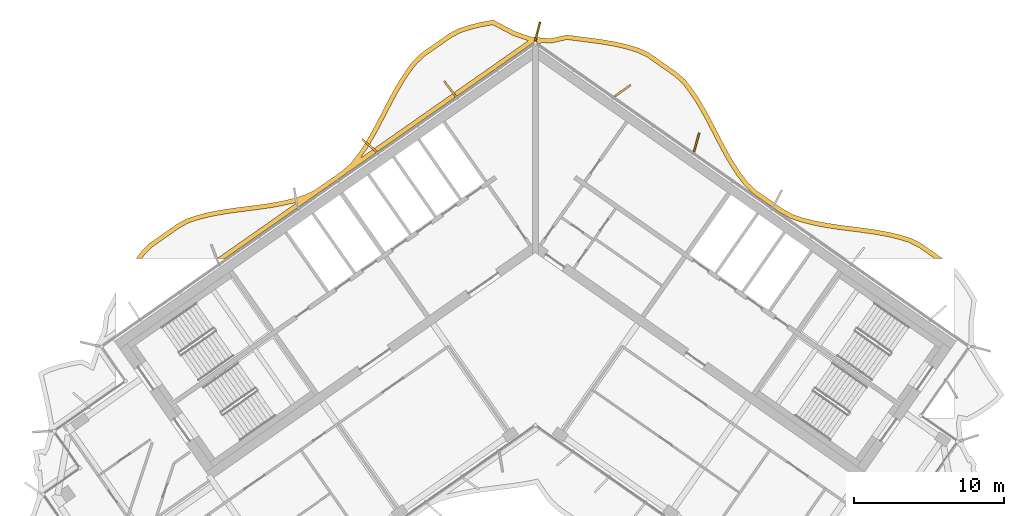
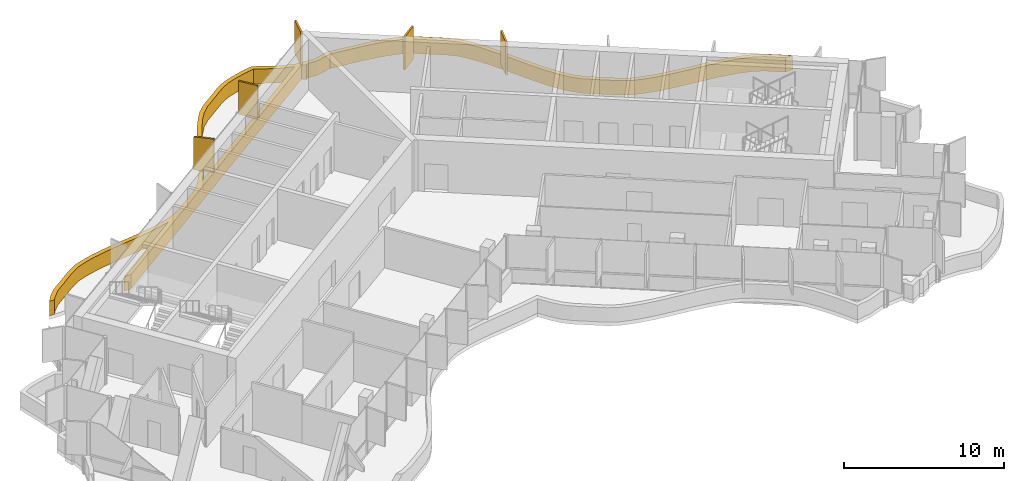
# One storey, part 17 of 17: 6 shading devices.
"""IFC4 building model written with IfcOpenShell, lengths in metres."""

from ifc_helpers import new_model, si_unit, direction, frame, origin, origin_2d, place, context, subcontext, project, spatial, polyline, rectangle, outline, extrude, material, layer, layer_set, type_object, element, save


model = new_model("IFC4")

# Units and contexts
model_context = context("Model", 3, precision=1e-05, world=origin(), true_north=direction((0.0, 1.0)))
body_context = subcontext(model_context, "Body", "Model", "MODEL_VIEW")
ifc_project = project(units=[si_unit("LENGTHUNIT", "METRE"), si_unit("AREAUNIT", "SQUARE_METRE"), si_unit("VOLUMEUNIT", "CUBIC_METRE"), si_unit("PLANEANGLEUNIT", "RADIAN"), si_unit("MASSUNIT", "GRAM", prefix="KILO")], contexts=[model_context])

# Site, building, storey
site_placement = place(None, origin())
site = spatial("IfcSite", under=ifc_project, at=site_placement, CompositionType="ELEMENT")
building_placement = place(site_placement, origin())
building = spatial("IfcBuilding", under=site, at=building_placement, Name="Tel Ilan Convention Tower", CompositionType="ELEMENT")
storey_placement = place(building_placement, frame((0.0, 0.0, 291.699951171875)))
storey = spatial("IfcBuildingStorey", under=building, at=storey_placement, Name="L69", CompositionType="ELEMENT", Elevation=291.699951171875)

# Shading devices
ifc_material_1 = material(Name="Aluminium, bronze anodised", Category="aluminium")
ifc_layer_1 = layer(ifc_material_1, 0.1201171875)
ifc_layer_set_1 = layer_set([ifc_layer_1], Name="FIN BRONZE 1300x120")
shading_device_type_1 = type_object("IfcShadingDeviceType", Name="FIN BRONZE 1300x120", PredefinedType="USERDEFINED", material=ifc_layer_set_1)
for number, where, z_axis, x_axis, name in (
    (1, (10.716064453125, 6.086669921875, 1.10009765625), (0.0, 0.0, 1.0), (0.268172612768, 0.963370878614, 0.0), "FIN"),
    (2, (5.80517578125, 9.525390625, 1.10009765625), (0.0, 0.0, 1.0), (0.813552070258, 0.581492071294, 0.0), "FIN"),
    (3, (0.156005859375, 13.463134765625, 1.10009765625), (0.0, 0.0, 1.0), (0.240039791311, 0.970763049661, 0.0), "FIN"),
    (4, (-5.664794921875, 9.647216796875, 1.10009765625), (0.0, 0.0, 1.0), (-0.612600545196, 0.790392669516, 0.0), "FIN"),
    (5, (-11.028076171875, 5.88330078125, 1.10009765625), (0.0, 0.0, 1.0), (-0.753435896329, 0.657521368568, 0.0), "FIN"),
):
    element("IfcShadingDevice", number, at=place(storey_placement, frame(where, z_axis=z_axis, x_axis=x_axis)), inside=storey, type_object=shading_device_type_1, Name=name, ObjectType="FIN", PredefinedType="USERDEFINED", context=body_context, shape_type="SweptSolid", body=[
        extrude(rectangle(XDim=1.300048828125, YDim=0.1201171875, at=origin_2d()), origin(), (0.0, 0.0, 1.0), 2.52001953125),
    ])
ifc_material_2 = material(Name="Aluminium, bronze anodised", Category="aluminium")
ifc_layer_2 = layer(ifc_material_2, 0.300048828125)
ifc_layer_set_2 = layer_set([ifc_layer_2], Name="LOUVRE BAND 300x1100")
shading_device_type_2 = type_object("IfcShadingDeviceType", Name="LOUVRE BAND 300x1100", PredefinedType="USERDEFINED", material=ifc_layer_set_2)
shading_device_placement = place(storey_placement, origin())
element("IfcShadingDevice", 6, at=shading_device_placement, inside=storey, type_object=shading_device_type_2, Name="LOUVRE BAND 52.02", ObjectType="LOUVRE", PredefinedType="USERDEFINED", context=body_context, shape_type="SweptSolid", body=[
    extrude(outline(polyline([(-26.1787109375, -1.1572265625), (-26.535888671875, -1.631591796875), (-26.160400390625, -1.631591796875), (-25.951416015625, -1.35400390625), (-25.457275390625, -0.856689453125), (-23.680908203125, 0.38720703125), (-23.075439453125, 0.7314453125), (-22.38525390625, 0.962158203125), (-21.640625, 1.14990234375), (-20.86181640625, 1.298828125), (-20.0576171875, 1.420166015625), (-18.409423828125, 1.63232421875), (-17.585205078125, 1.750732421875), (-16.773193359375, 1.89599609375), (-15.982666015625, 2.081298828125), (-15.75634765625, 2.151611328125), (-21.159423828125, -1.631591796875), (-20.63623046875, -1.631591796875), (0.0, 12.818115234375), (0.261474609375, 12.635009765625), (0.4140625, 12.741943359375), (1.040771484375, 12.687744140625), (2.10400390625, 12.9296875), (3.699462890625, 12.72509765625), (4.510009765625, 12.60986328125), (5.2978515625, 12.47119140625), (6.054443359375, 12.297119140625), (6.765625, 12.080078125), (7.40185546875, 11.785888671875), (9.17822265625, 10.5419921875), (9.708740234375, 10.0908203125), (10.16162109375, 9.521240234375), (10.5927734375, 8.885498046875), (10.9990234375, 8.204833984375), (11.38818359375, 7.49072265625), (12.151123046875, 6.014404296875), (12.54443359375, 5.2802734375), (12.958740234375, 4.567138671875), (13.403076171875, 3.8876953125), (13.891357421875, 3.245849609375), (14.459716796875, 2.693359375), (16.302978515625, 1.40283203125), (16.991455078125, 1.02587890625), (17.759521484375, 0.773681640625), (18.544921875, 0.579345703125), (19.353271484375, 0.42724609375), (20.176025390625, 0.3046875), (21.826416015625, 0.092529296875), (22.634765625, -0.025146484375), (23.4189453125, -0.167724609375), (24.1708984375, -0.34716796875), (24.873291015625, -0.569580078125), (25.496826171875, -0.88427734375), (26.56396484375, -1.631591796875), (27.087158203125, -1.631591796875), (25.6513671875, -0.626220703125), (24.987060546875, -0.290771484375), (24.2509765625, -0.057861328125), (23.480712890625, 0.1259765625), (22.68310546875, 0.27099609375), (21.8671875, 0.3896484375), (20.21728515625, 0.601806640625), (19.4033203125, 0.72314453125), (18.60888671875, 0.87255859375), (17.842529296875, 1.062255859375), (17.111328125, 1.30224609375), (16.46142578125, 1.657958984375), (14.6513671875, 2.92529296875), (14.116455078125, 3.4453125), (13.648193359375, 4.060791015625), (13.214111328125, 4.724609375), (12.806396484375, 5.426513671875), (12.416748046875, 6.154052734375), (11.653076171875, 7.631591796875), (11.259521484375, 8.353515625), (10.845947265625, 9.046875), (10.403564453125, 9.69921875), (9.925537109375, 10.300537109375), (9.36181640625, 10.77978515625), (7.552001953125, 12.047119140625), (6.872802734375, 12.361083984375), (6.132080078125, 12.587158203125), (5.357666015625, 12.765380859375), (4.55712890625, 12.90625), (3.739501953125, 13.0224609375), (2.08935546875, 13.234130859375), (1.02001953125, 12.99072265625), (0.168701171875, 13.059326171875), (0.11474609375, 13.09521484375), (0.0, 13.1181640625), (-0.11474609375, 13.09521484375), (-0.168701171875, 13.059326171875), (-1.357666015625, 13.472900390625), (-2.785888671875, 14.228515625), (-3.5830078125, 14.083251953125), (-4.3515625, 13.896484375), (-5.0849609375, 13.66015625), (-5.7421875, 13.314453125), (-7.552001953125, 12.047119140625), (-8.09423828125, 11.53759765625), (-8.56494140625, 10.925537109375), (-9.001220703125, 10.264404296875), (-9.410400390625, 9.564697265625), (-9.801025390625, 8.838623046875), (-10.564453125, 7.36083984375), (-10.95703125, 6.63720703125), (-11.369140625, 5.94189453125), (-11.809326171875, 5.28662109375), (-12.284912109375, 4.681640625), (-12.841552734375, 4.192626953125), (-14.6513671875, 2.92529296875), (-15.3232421875, 2.6005859375), (-16.0615234375, 2.370849609375), (-16.833984375, 2.18994140625), (-17.6328125, 2.046875), (-18.44970703125, 1.9296875), (-20.099365234375, 1.71728515625), (-20.91259765625, 1.594482421875), (-21.705322265625, 1.44287109375), (-22.4697265625, 1.250244140625), (-23.1982421875, 1.0068359375), (-23.84130859375, 0.64111328125), (-25.6513671875, -0.626220703125), (-26.1787109375, -1.1572265625)]), holes=[polyline([(-11.609619140625, 5.05517578125), (-11.115234375, 5.78173828125), (-10.696044921875, 6.4892578125), (-10.29931640625, 7.220458984375), (-9.535400390625, 8.69873046875), (-9.148681640625, 9.41796875), (-8.746337890625, 10.106201171875), (-8.320556640625, 10.751220703125), (-7.871337890625, 11.33544921875), (-7.3623046875, 11.813720703125), (-5.585693359375, 13.0576171875), (-4.96826171875, 13.382568359375), (-4.27001953125, 13.607666015625), (-3.520751953125, 13.78955078125), (-2.834228515625, 13.914794921875), (-1.477294921875, 13.19677734375), (-0.4755859375, 12.851318359375), (-11.609619140625, 5.05517578125)])]), origin(), (0.0, 0.0, 1.0), 1.10009765625),
])

save(model, "model.ifc")
